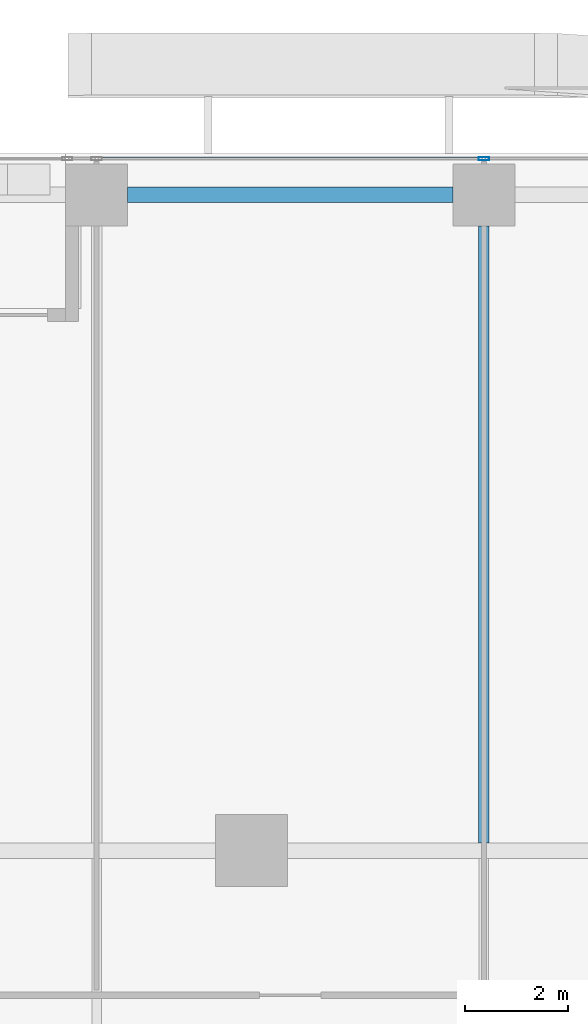
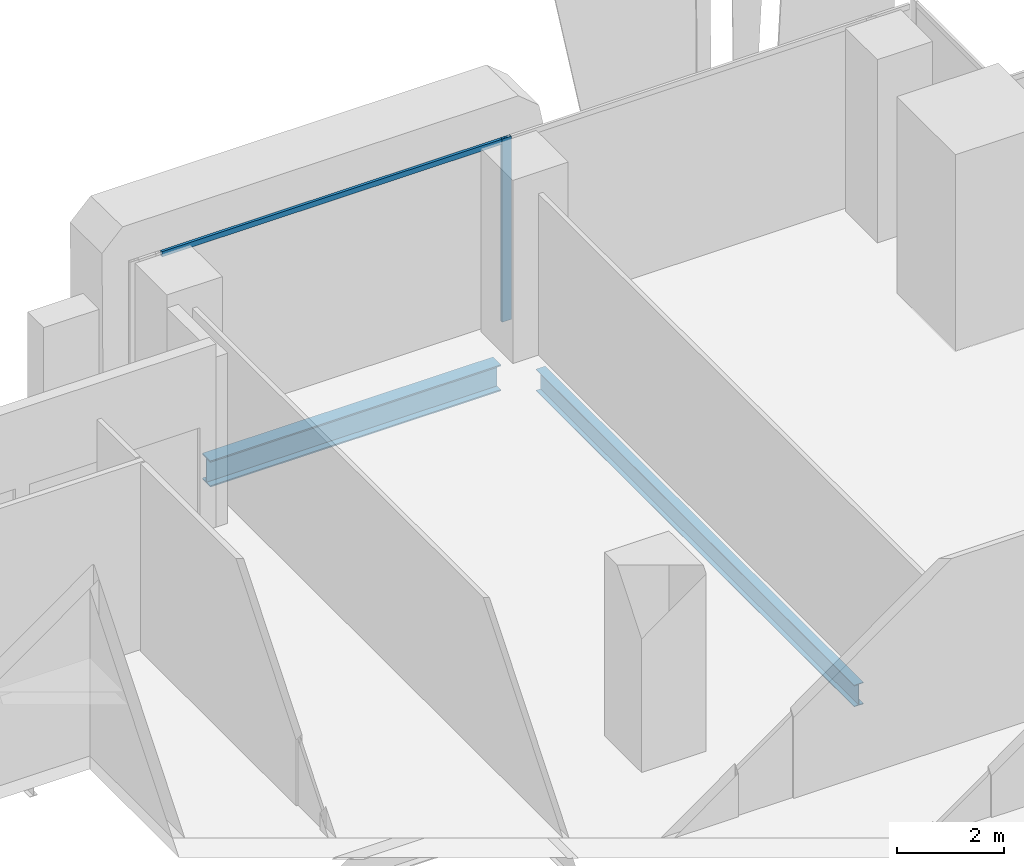
# One storey, part 20 of 36: 2 beams, 2 members, 1 element without a shape of its own.
"""IFC4 building model written with IfcOpenShell, lengths in metres."""

from ifc_helpers import new_model, si_unit, direction, frame, origin, origin_2d, place, context, subcontext, project, spatial, hollow_rectangle, i_section, extrude, source, transform, mapped, material, material_profile, profile_set, type_object, element, aggregate, save


model = new_model("IFC4")

# Units and contexts
model_context = context("Model", 3, precision=1e-05, world=origin(), true_north=direction((0.0, 1.0)))
body_context = subcontext(model_context, "Body", "Model", "MODEL_VIEW")
ifc_project = project(units=[si_unit("LENGTHUNIT", "METRE"), si_unit("AREAUNIT", "SQUARE_METRE"), si_unit("VOLUMEUNIT", "CUBIC_METRE"), si_unit("PLANEANGLEUNIT", "RADIAN"), si_unit("MASSUNIT", "GRAM", prefix="KILO")], contexts=[model_context])

# Site, building, storey
site_placement = place(None, origin())
site = spatial("IfcSite", under=ifc_project, at=site_placement, CompositionType="ELEMENT")
building_placement = place(site_placement, origin())
building = spatial("IfcBuilding", under=site, at=building_placement, Name="Khomas Fold Tower", CompositionType="ELEMENT")
storey_placement = place(building_placement, frame((0.0, 0.0, 46.5)))
storey = spatial("IfcBuildingStorey", under=building, at=storey_placement, Name="L09", CompositionType="ELEMENT", Elevation=46.5)

# Beams
ifc_material_1 = material(Name="Steel S355", Category="steel")
ifc_material_profile_1 = material_profile(ifc_material_1, i_section(OverallWidth=0.300048828125, OverallDepth=0.60009765625, WebThickness=0.015380859375, FlangeThickness=0.030029296875, at=origin_2d()), Name="HE 600 B")
ifc_profile_set_1 = profile_set([ifc_material_profile_1], Name="Steel S355")
beam_type_1 = type_object("IfcBeamType", Name="HE 600 B spandrel SB1", PredefinedType="SPANDREL", material=ifc_profile_set_1)
shared_shape_1 = source(origin(), body_context, "Body", "SweptSolid", [
    extrude(i_section(OverallWidth=0.300048828125, OverallDepth=0.60009765625, WebThickness=0.015380859375, FlangeThickness=0.030029296875, at=origin_2d()), origin(), (0.0, 0.0, 1.0), 6.2998046875),
])
beam_1_placement = place(storey_placement, frame((35.10009765625, 53.199951171875, -0.60009765625), z_axis=(1.0, 0.0, 0.0), x_axis=(0.0, 1.0, 0.0)))
element("IfcBeam", 1, at=beam_1_placement, inside=storey, type_object=beam_type_1, Name="SB1", PredefinedType="SPANDREL", context=body_context, shape_type="MappedRepresentation", body=[
    mapped(shared_shape_1, transform((0.0, 0.0, 0.0))),
])
ifc_material_2 = material(Name="Steel S355", Category="steel")
ifc_material_profile_2 = material_profile(ifc_material_2, i_section(OverallWidth=0.199951171875, OverallDepth=0.5, WebThickness=0.01025390625, FlangeThickness=0.01611328125, at=origin_2d()), Name="IPE 500")
ifc_profile_set_2 = profile_set([ifc_material_profile_2], Name="Steel S355")
beam_type_2 = type_object("IfcBeamType", Name="IPE 500 beam JB5", PredefinedType="BEAM", material=ifc_profile_set_2)
shared_shape_2 = source(origin(), body_context, "Body", "SweptSolid", [
    extrude(i_section(OverallWidth=0.199951171875, OverallDepth=0.5, WebThickness=0.01025390625, FlangeThickness=0.01611328125, at=origin_2d()), origin(), (0.0, 0.0, 1.0), 11.9501953125),
])
beam_2_placement = place(storey_placement, frame((42.0, 40.64990234375, -0.550048828125), z_axis=(0.0, 1.0, 0.0), x_axis=(-1.0, 0.0, 0.0)))
element("IfcBeam", 2, at=beam_2_placement, inside=storey, type_object=beam_type_2, Name="JB5", PredefinedType="BEAM", context=body_context, shape_type="MappedRepresentation", body=[
    mapped(shared_shape_2, transform((0.0, 0.0, 0.0))),
])

# Curtain wall, members
ifc_material_3 = material(Name="Aluminium framed double glazing", Category="aluminium")
curtain_wall_type = type_object("IfcCurtainWallType", Name="SK-Unitised clear-glass wall, growing floors CW1", PredefinedType="NOTDEFINED", material=ifc_material_3)
curtain_wall_placement = place(storey_placement, origin())
curtain_wall = element("IfcCurtainWall", 3, at=curtain_wall_placement, inside=storey, type_object=curtain_wall_type, Name="CW1 run L09 06-0", PredefinedType="NOTDEFINED")
ifc_material_4 = material(Name="Aluminium", Category="aluminium")
ifc_material_profile_3 = material_profile(ifc_material_4, hollow_rectangle(XDim=0.06005859375, YDim=0.1201171875, WallThickness=0.00390625, at=origin_2d()), Name="SK-Unitised clear-glass wall, growing floors transom CW1-T")
ifc_profile_set_3 = profile_set([ifc_material_profile_3], Name="Aluminium")
member_type_1 = type_object("IfcMemberType", Name="SK-Unitised clear-glass wall, growing floors transom CW1-T", PredefinedType="USERDEFINED", material=ifc_profile_set_3)
shared_shape_3 = source(origin(), body_context, "Body", "SweptSolid", [
    extrude(hollow_rectangle(XDim=0.06005859375, YDim=0.1201171875, WallThickness=0.00390625, at=origin_2d()), origin(), (0.0, 0.0, 1.0), 7.43994140625),
])
member_1_placement = place(storey_placement, frame((41.969970703125, 53.89990234375, 4.139892578125), z_axis=(-1.0, 0.0, 0.0), x_axis=(0.0, -1.0, 0.0)))
member_1 = element("IfcMember", 4, at=member_1_placement, type_object=member_type_1, Name="CW1 transom 3", ObjectType="TRANSOM", PredefinedType="USERDEFINED", context=body_context, shape_type="MappedRepresentation", body=[
    mapped(shared_shape_3, transform((0.0, 0.0, 0.0))),
])
ifc_material_5 = material(Name="Aluminium", Category="aluminium")
ifc_material_profile_4 = material_profile(ifc_material_5, hollow_rectangle(XDim=0.06005859375, YDim=0.199951171875, WallThickness=0.00390625, at=origin_2d()), Name="SK-Unitised clear-glass wall, growing floors mullion CW1-M")
ifc_profile_set_4 = profile_set([ifc_material_profile_4], Name="Aluminium")
member_type_2 = type_object("IfcMemberType", Name="SK-Unitised clear-glass wall, growing floors mullion CW1-M", PredefinedType="MULLION", material=ifc_profile_set_4)
shared_shape_4 = source(origin(), body_context, "Body", "SweptSolid", [
    extrude(hollow_rectangle(XDim=0.06005859375, YDim=0.199951171875, WallThickness=0.00390625, at=origin_2d()), origin(), (0.0, 0.0, 1.0), 4.199951171875),
])
member_2_placement = place(storey_placement, frame((42.0, 53.89990234375, 0.0), z_axis=(0.0, 0.0, 1.0), x_axis=(0.0, -1.0, 0.0)))
member_2 = element("IfcMember", 5, at=member_2_placement, type_object=member_type_2, Name="CW1 mullion 3", PredefinedType="MULLION", context=body_context, shape_type="MappedRepresentation", body=[
    mapped(shared_shape_4, transform((0.0, 0.0, 0.0))),
])
aggregate(curtain_wall, [member_2, member_1])

save(model, "model.ifc")
